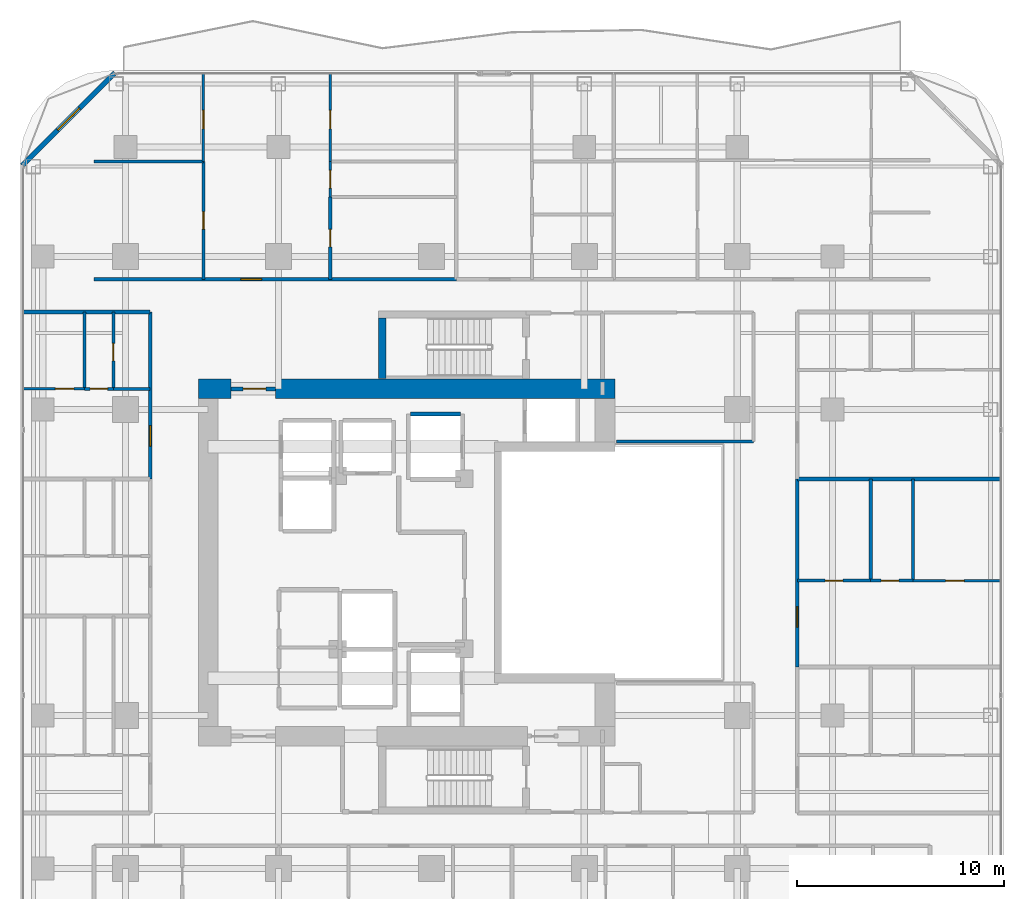
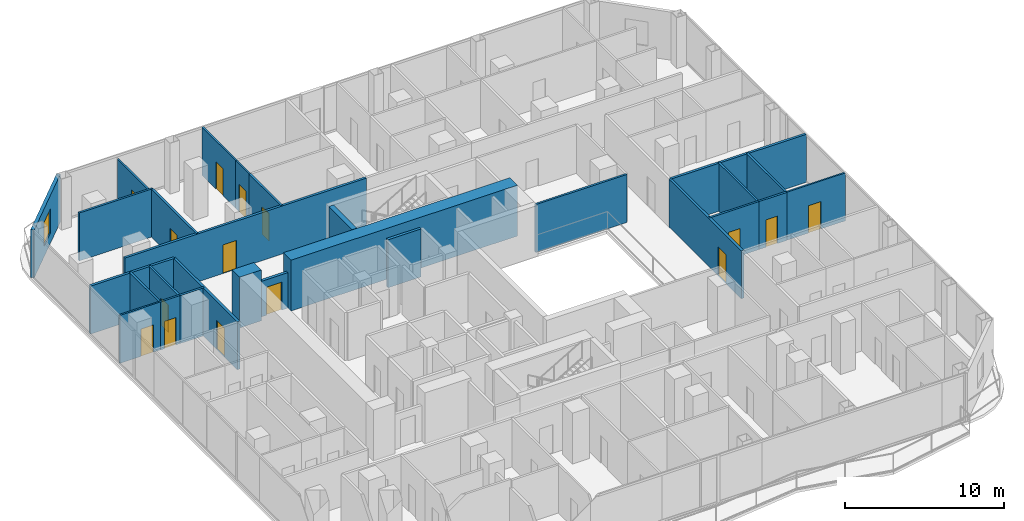
# One storey, part 24 of 29: 28 walls, 15 doors, 1 window, 16 openings.
"""IFC4 building model written with IfcOpenShell, lengths in metres."""

import ifcopenshell
import ifcopenshell.guid

model = None  # the IFC model being written
_history = None  # IfcOwnerHistory: only IFC2X3 demands one
_inside = {}  # id of a spatial element -> (the spatial element, [elements in it])
_under = {}  # id of a project, library or spatial element -> (it, [spatial elements below it])
_declared = {}  # id of a project -> (the project, [libraries it declares])
_typed = {}  # id of a type object -> (the type object, [elements of that type])
_made_of = {}  # id of a material, layer set ... -> (it, [elements and type objects made of it])


def new_model(schema):
    """Start an empty IFC model of exactly this schema.

    Asked for "IFC4X3", IfcOpenShell would pick the latest addendum, in which some entities
    have other attributes; the version numbers below select the first issue.
    IFC2X3 requires an IfcOwnerHistory on every rooted entity: one is made here for all.
    """
    global model, _history
    if schema == "IFC4X3":
        model = ifcopenshell.file(schema_version=(4, 3, 0, 0))
    else:
        model = ifcopenshell.file(schema=schema)
    _inside.clear()
    _under.clear()
    _declared.clear()
    _typed.clear()
    _made_of.clear()
    _history = None
    if model.schema == "IFC2X3":
        org = make("IfcOrganization", Name="unknown")
        user = make(
            "IfcPersonAndOrganization",
            ThePerson=make("IfcPerson", FamilyName="unknown"),
            TheOrganization=org,
        )
        app = make(
            "IfcApplication",
            ApplicationDeveloper=org,
            Version="unknown",
            ApplicationFullName="unknown",
            ApplicationIdentifier="unknown",
        )
        _history = make(
            "IfcOwnerHistory",
            OwningUser=user,
            OwningApplication=app,
            ChangeAction="ADDED",
            CreationDate=0,
        )
    return model


def make(cls, **values):
    """One entity of the class cls with the attributes given. An attribute that is None is left unset."""
    return model.create_entity(
        cls, **{name: value for name, value in values.items() if value is not None}
    )


def rooted(cls, **values):
    """An entity with a GlobalId (a new one), such as an element, a storey or a relation."""
    return make(cls, GlobalId=ifcopenshell.guid.new(), OwnerHistory=_history, **values)


def si_unit(unit_type, name, prefix=None):
    """IfcSIUnit, for example si_unit("LENGTHUNIT", "METRE", prefix="MILLI")."""
    return make("IfcSIUnit", UnitType=unit_type, Prefix=prefix, Name=name)


def assignment(units):
    """IfcUnitAssignment: the units of a project."""
    return None if units is None else make("IfcUnitAssignment", Units=units)


def point(xyz):
    """IfcCartesianPoint."""
    return None if xyz is None else make("IfcCartesianPoint", Coordinates=xyz)


def direction(xyz):
    """IfcDirection."""
    return None if xyz is None else make("IfcDirection", DirectionRatios=xyz)


def frame(location, z_axis=None, x_axis=None):
    """IfcAxis2Placement3D, a coordinate frame: its origin and axes. An axis left out is left unset."""
    return make(
        "IfcAxis2Placement3D",
        Location=point(location),
        Axis=direction(z_axis),
        RefDirection=direction(x_axis),
    )


def frame_2d(location, x_axis=None):
    """IfcAxis2Placement2D, a coordinate frame in the plane: its origin and x axis."""
    return make(
        "IfcAxis2Placement2D", Location=point(location), RefDirection=direction(x_axis)
    )


def origin():
    """The frame at (0, 0, 0) with its axes left unset."""
    return frame((0.0, 0.0, 0.0))


def place(relative_to, where):
    """IfcLocalPlacement: puts the frame where relative to a parent placement (None: the world)."""
    return make(
        "IfcLocalPlacement", PlacementRelTo=relative_to, RelativePlacement=where
    )


def context(
    kind, dimensions, precision=None, world=None, true_north=None, identifier=None
):
    """IfcGeometricRepresentationContext, for example the 3D "Model" context."""
    return make(
        "IfcGeometricRepresentationContext",
        ContextIdentifier=identifier,
        ContextType=kind,
        CoordinateSpaceDimension=dimensions,
        Precision=precision,
        WorldCoordinateSystem=world,
        TrueNorth=true_north,
    )


def subcontext(parent, identifier, kind, view, scale=None):
    """IfcGeometricRepresentationSubContext, for example "Body" below "Model"."""
    return make(
        "IfcGeometricRepresentationSubContext",
        ContextIdentifier=identifier,
        ContextType=kind,
        ParentContext=parent,
        TargetScale=scale,
        TargetView=view,
    )


def project(units=None, contexts=None):
    """IfcProject with its units and contexts."""
    return rooted(
        "IfcProject",
        Name="project",
        RepresentationContexts=contexts,
        UnitsInContext=assignment(units),
    )


def spatial(cls, under=None, at=None, **own):
    """A site, building, storey or space (cls), placed at a placement, below another one or the project."""
    s = rooted(cls, ObjectPlacement=at, **own)
    if under is not None:
        _under.setdefault(under.id(), (under, []))[1].append(s)
    return s


def profile(cls, at=None, kind="AREA", **sizes):
    """A parametric profile (cls). Its sizes go by their IFC names, for example OverallWidth=200.0."""
    return make(cls, ProfileType=kind, Position=at, **sizes)


def rectangle(**sizes):
    """IfcRectangleProfileDef."""
    return profile("IfcRectangleProfileDef", **sizes)


def extrude(swept, where, along, depth):
    """IfcExtrudedAreaSolid: the profile swept, set in the frame where, extruded along a direction by depth."""
    return make(
        "IfcExtrudedAreaSolid",
        SweptArea=swept,
        Position=where,
        ExtrudedDirection=direction(along),
        Depth=depth,
    )


def shape(context_of_items, identifier, shape_type, items):
    """IfcShapeRepresentation: the items that make up one representation, for example the "Body"."""
    return make(
        "IfcShapeRepresentation",
        ContextOfItems=context_of_items,
        RepresentationIdentifier=identifier,
        RepresentationType=shape_type,
        Items=items,
    )


def material(Name=None, Category=None):
    """IfcMaterial."""
    return make("IfcMaterial", Name=Name, Category=Category)


def layer(
    of_material, thickness, ventilated=None, Name=None, Category=None, Priority=None
):
    """IfcMaterialLayer: one layer of a wall or slab, of a material (None: an air gap)."""
    return make(
        "IfcMaterialLayer",
        Material=of_material,
        LayerThickness=thickness,
        IsVentilated=ventilated,
        Name=Name,
        Category=Category,
        Priority=Priority,
    )


def layer_set(layers, Name=None):
    """IfcMaterialLayerSet."""
    return make("IfcMaterialLayerSet", MaterialLayers=layers, LayerSetName=Name)


def made_of(thing, what):
    """Note that an element or type object is made of a material, layer set ...; save() writes the relation."""
    if what is not None:
        _made_of.setdefault(what.id(), (what, []))[1].append(thing)
    return thing


def type_object(cls, material=None, **own):
    """A type object (cls), such as IfcWallType, which elements share."""
    return made_of(rooted(cls, **own), material)


def element(
    cls,
    number,
    at=None,
    inside=None,
    cuts=None,
    type_object=None,
    material=None,
    context=None,
    identifier="Body",
    shape_type=None,
    held_by="IfcProductDefinitionShape",
    body=None,
    shapes=None,
    **own,
):
    """One element of the class cls, such as IfcWall. Its Tag is "e" and its number.

    at: its placement. inside: the storey or other place that contains it. cuts: it is an
    opening in that element (IfcRelVoidsElement). A single representation is given by context,
    identifier, shape_type and body (its items); several are given by shapes. held_by: the class
    of the entity that holds the representations. save() writes the other relations.
    """
    e = rooted(cls, Tag="e%d" % number, ObjectPlacement=at, **own)
    if body is not None:
        shapes = [shape(context, identifier, shape_type, body)]
    if shapes is not None:
        e.Representation = make(held_by, Representations=shapes)
    if inside is not None:
        _inside.setdefault(inside.id(), (inside, []))[1].append(e)
    if cuts is not None:
        rooted(
            "IfcRelVoidsElement", RelatingBuildingElement=cuts, RelatedOpeningElement=e
        )
    if type_object is not None:
        _typed.setdefault(type_object.id(), (type_object, []))[1].append(e)
    return made_of(e, material)


def fill(opening, filler):
    """IfcRelFillsElement: the door or window that sits in an opening."""
    return rooted(
        "IfcRelFillsElement",
        RelatingOpeningElement=opening,
        RelatedBuildingElement=filler,
    )


def aggregate(whole, parts):
    """IfcRelAggregates: a whole, such as a stair, and the parts it consists of."""
    return rooted("IfcRelAggregates", RelatingObject=whole, RelatedObjects=parts)


def save(model, path):
    """Write the relations noted so far, then the file.

    IfcRelAggregates (storeys below a building ...), IfcRelContainedInSpatialStructure (elements
    in a storey), IfcRelDefinesByType, IfcRelAssociatesMaterial and IfcRelDeclares: one each for
    every whole, place, type object, material and project.
    """
    for whole, parts in _under.values():
        aggregate(whole, parts)
    for where, things in _inside.values():
        rooted(
            "IfcRelContainedInSpatialStructure",
            RelatedElements=things,
            RelatingStructure=where,
        )
    for kind, things in _typed.values():
        rooted("IfcRelDefinesByType", RelatedObjects=things, RelatingType=kind)
    for what, things in _made_of.values():
        rooted("IfcRelAssociatesMaterial", RelatedObjects=things, RelatingMaterial=what)
    for by, libraries in _declared.values():
        rooted("IfcRelDeclares", RelatingContext=by, RelatedDefinitions=libraries)
    model.write(path)


model = new_model("IFC4")

# Units and contexts
model_context = context("Model", 3, precision=1e-05, world=origin(), true_north=direction((0.0, 1.0)))
body_context = subcontext(model_context, "Body", "Model", "MODEL_VIEW")
ifc_project = project(units=[si_unit("LENGTHUNIT", "METRE"), si_unit("AREAUNIT", "SQUARE_METRE"), si_unit("VOLUMEUNIT", "CUBIC_METRE"), si_unit("PLANEANGLEUNIT", "RADIAN"), si_unit("MASSUNIT", "GRAM", prefix="KILO")], contexts=[model_context])

# Site, building, storey
site_placement = place(None, origin())
site = spatial("IfcSite", under=ifc_project, at=site_placement, CompositionType="ELEMENT")
building_placement = place(site_placement, origin())
building = spatial("IfcBuilding", under=site, at=building_placement, Name="Khorvyn Point Tower", CompositionType="ELEMENT")
storey_placement = place(building_placement, frame((0.0, 0.0, 140.699951171875)))
storey = spatial("IfcBuildingStorey", under=building, at=storey_placement, Name="L35", CompositionType="ELEMENT", Elevation=140.699951171875)

# Wall, opening, door
ifc_material_1 = material(Name="Double acoustic gypsum on twin steel stud", Category="steel")
ifc_layer_1 = layer(ifc_material_1, 0.179931640625)
ifc_layer_set_1 = layer_set([ifc_layer_1], Name="Acoustic Double-Stud Apartment Demising Wall 180")
wall_type_1 = type_object("IfcWallType", Name="Acoustic Double-Stud Apartment Demising Wall 180", PredefinedType="PARTITIONING", material=ifc_layer_set_1)
wall_1_placement = place(storey_placement, frame((-16.320068359375, 13.699951171875, 0.0), z_axis=(0.0, 0.0, 1.0), x_axis=(1.0, 0.0, 0.0)))
wall_1 = element("IfcWall", 1, at=wall_1_placement, inside=storey, type_object=wall_type_1, Name="Wall", PredefinedType="PARTITIONING", context=body_context, shape_type="SweptSolid", body=[
    extrude(rectangle(XDim=17.524169921875, YDim=0.179931640625, at=frame_2d((8.76220703125, 0.0))), origin(), (0.0, 0.0, 1.0), 3.679931640625),
])
opening_1_placement = place(wall_1_placement, frame((7.1044921875, 0.0, 0.0)))
opening_1 = element("IfcOpeningElement", 2, at=opening_1_placement, cuts=wall_1, Name="Opening ID-AP60", PredefinedType="OPENING", context=body_context, shape_type="SweptSolid", body=[
    extrude(rectangle(XDim=1.0, YDim=2.199951171875, at=frame_2d((0.5, 1.10009765625))), frame((0.0, 0.099853515625, 0.0), z_axis=(0.0, -1.0, 0.0), x_axis=(1.0, 0.0, 0.0)), (0.0, 0.0, 1.0), 0.199951171875),
])
ifc_material_2 = material(Name="Engineered hardwood fire-rated leaf", Category="wood")
door_type_1 = type_object("IfcDoorType", Name="Acoustic Solid-Core Timber Apartment Entrance Door 1000x2200", OperationType="NOTDEFINED", PredefinedType="DOOR", material=ifc_material_2)
door_1_placement = place(opening_1_placement, origin())
door_1 = element("IfcDoor", 3, at=door_1_placement, inside=storey, type_object=door_type_1, Name="Door", OperationType="SINGLE_SWING_LEFT", OverallHeight=2.199951171875, OverallWidth=1.0, PredefinedType="DOOR", context=body_context, shape_type="SweptSolid", body=[
    extrude(rectangle(XDim=1.0, YDim=2.199951171875, at=frame_2d((0.5, 1.10009765625))), frame((0.0, 0.02490234375, 0.0), z_axis=(0.0, -1.0, 0.0), x_axis=(1.0, 0.0, 0.0)), (0.0, 0.0, 1.0), 0.050048828125),
])
fill(opening_1, door_1)

wall_2_placement = place(storey_placement, frame((-13.60009765625, 4.0400390625, 0.0), z_axis=(0.0, 0.0, 1.0), x_axis=(0.0, 1.0, 0.0)))
wall_2 = element("IfcWall", 4, at=wall_2_placement, inside=storey, type_object=wall_type_1, Name="Wall", PredefinedType="PARTITIONING", context=body_context, shape_type="SweptSolid", body=[
    extrude(rectangle(XDim=8.080078125, YDim=0.179931640625, at=frame_2d((4.0400390625, 0.0))), origin(), (0.0, 0.0, 1.0), 3.679931640625),
])
opening_2_placement = place(wall_2_placement, frame((1.583251953125, 0.0, 0.0)))
opening_2 = element("IfcOpeningElement", 5, at=opening_2_placement, cuts=wall_2, Name="Opening ID-AP60", PredefinedType="OPENING", context=body_context, shape_type="SweptSolid", body=[
    extrude(rectangle(XDim=1.0, YDim=2.199951171875, at=frame_2d((0.5, 1.10009765625))), frame((0.0, 0.099853515625, 0.0), z_axis=(0.0, -1.0, 0.0), x_axis=(1.0, 0.0, 0.0)), (0.0, 0.0, 1.0), 0.199951171875),
])
door_2_placement = place(opening_2_placement, origin())
door_2 = element("IfcDoor", 6, at=door_2_placement, inside=storey, type_object=door_type_1, Name="Door", OperationType="SINGLE_SWING_RIGHT", OverallHeight=2.199951171875, OverallWidth=1.0, PredefinedType="DOOR", context=body_context, shape_type="SweptSolid", body=[
    extrude(rectangle(XDim=1.0, YDim=2.199951171875, at=frame_2d((0.5, 1.10009765625))), frame((0.0, 0.02490234375, 0.0), z_axis=(0.0, -1.0, 0.0), x_axis=(1.0, 0.0, 0.0)), (0.0, 0.0, 1.0), 0.050048828125),
])
fill(opening_2, door_2)

wall_3_placement = place(storey_placement, frame((17.699951171875, -5.05810546875, 0.0), z_axis=(0.0, 0.0, 1.0), x_axis=(0.0, 1.0, 0.0)))
wall_3 = element("IfcWall", 7, at=wall_3_placement, inside=storey, type_object=wall_type_1, Name="Wall", PredefinedType="PARTITIONING", context=body_context, shape_type="SweptSolid", body=[
    extrude(rectangle(XDim=9.09814453125, YDim=0.179931640625, at=frame_2d((4.549072265625, 0.0))), origin(), (0.0, 0.0, 1.0), 3.679931640625),
])
opening_3_placement = place(wall_3_placement, frame((1.927734375, 0.0, 0.0)))
opening_3 = element("IfcOpeningElement", 8, at=opening_3_placement, cuts=wall_3, Name="Opening ID-AP60", PredefinedType="OPENING", context=body_context, shape_type="SweptSolid", body=[
    extrude(rectangle(XDim=1.0, YDim=2.199951171875, at=frame_2d((0.5, 1.10009765625))), frame((0.0, 0.099853515625, 0.0), z_axis=(0.0, -1.0, 0.0), x_axis=(1.0, 0.0, 0.0)), (0.0, 0.0, 1.0), 0.199951171875),
])
door_3_placement = place(opening_3_placement, origin())
door_3 = element("IfcDoor", 9, at=door_3_placement, inside=storey, type_object=door_type_1, Name="Door", OperationType="SINGLE_SWING_RIGHT", OverallHeight=2.199951171875, OverallWidth=1.0, PredefinedType="DOOR", context=body_context, shape_type="SweptSolid", body=[
    extrude(rectangle(XDim=1.0, YDim=2.199951171875, at=frame_2d((0.5, 1.10009765625))), frame((0.0, 0.02490234375, 0.0), z_axis=(0.0, -1.0, 0.0), x_axis=(1.0, 0.0, 0.0)), (0.0, 0.0, 1.0), 0.050048828125),
])
fill(opening_3, door_3)

# Walls
wall_4_placement = place(storey_placement, frame((-19.72998046875, 12.1201171875, 0.0), z_axis=(0.0, 0.0, 1.0), x_axis=(1.0, 0.0, 0.0)))
element("IfcWall", 10, at=wall_4_placement, inside=storey, type_object=wall_type_1, Name="Wall", PredefinedType="PARTITIONING", context=body_context, shape_type="SweptSolid", body=[
    extrude(rectangle(XDim=6.1298828125, YDim=0.179931640625, at=frame_2d((3.06494140625, 0.0))), origin(), (0.0, 0.0, 1.0), 3.679931640625),
])
wall_5_placement = place(storey_placement, frame((17.699951171875, 4.0400390625, 0.0), z_axis=(0.0, 0.0, 1.0), x_axis=(1.0, 0.0, 0.0)))
element("IfcWall", 11, at=wall_5_placement, inside=storey, type_object=wall_type_1, Name="Wall", PredefinedType="PARTITIONING", context=body_context, shape_type="SweptSolid", body=[
    extrude(rectangle(XDim=9.830078125, YDim=0.179931640625, at=frame_2d((4.9150390625, 0.0))), origin(), (0.0, 0.0, 1.0), 3.679931640625),
])

# Wall, opening, window
ifc_material_3 = material(Name="Pale anodised aluminium rainscreen on steel stud", Category="steel")
ifc_layer_2 = layer(ifc_material_3, 0.239990234375)
ifc_layer_set_2 = layer_set([ifc_layer_2], Name="Anodised Aluminium Insulated Corner Spandrel Wall 240")
wall_type_2 = type_object("IfcWallType", Name="Anodised Aluminium Insulated Corner Spandrel Wall 240", PredefinedType="SOLIDWALL", material=ifc_layer_set_2)
wall_6_placement = place(storey_placement, frame((-19.79248046875, 19.20751953125, 0.0), z_axis=(0.0, 0.0, 1.0), x_axis=(0.707106781187, 0.707106781187, 0.0)))
wall_6 = element("IfcWall", 12, at=wall_6_placement, inside=storey, type_object=wall_type_2, Name="L35 Rounded Corner Wall NW", PredefinedType="SOLIDWALL", context=body_context, shape_type="SweptSolid", body=[
    extrude(rectangle(XDim=6.342529296875, YDim=0.239990234375, at=frame_2d((3.17138671875, 0.0))), origin(), (0.0, 0.0, 1.0), 3.679931640625),
])
opening_4_placement = place(wall_6_placement, frame((2.42138671875, 0.0, 0.800048828125)))
opening_4 = element("IfcOpeningElement", 13, at=opening_4_placement, cuts=wall_6, Name="Opening WN-1518", PredefinedType="OPENING", context=body_context, shape_type="SweptSolid", body=[
    extrude(rectangle(XDim=1.5, YDim=1.85009765625, at=frame_2d((0.75, 0.925048828125))), frame((0.0, 0.1298828125, 0.0), z_axis=(0.0, -1.0, 0.0), x_axis=(1.0, 0.0, 0.0)), (0.0, 0.0, 1.0), 0.260009765625),
])
ifc_material_4 = material(Name="Anodised aluminium 6063-T6 and laminated Low-E glass", Category="aluminium")
window_type = type_object("IfcWindowType", Name="Anodised Aluminium Rounded-Corner Panoramic Window 1500x1850", PartitioningType="SINGLE_PANEL", PredefinedType="WINDOW", material=ifc_material_4)
window_placement = place(opening_4_placement, origin())
window = element("IfcWindow", 14, at=window_placement, inside=storey, type_object=window_type, Name="L35 Corner Panoramic Window NW", OverallHeight=1.85009765625, OverallWidth=1.5, PartitioningType="SINGLE_PANEL", PredefinedType="WINDOW", context=body_context, shape_type="SweptSolid", body=[
    extrude(rectangle(XDim=1.5, YDim=1.85009765625, at=frame_2d((0.75, 0.925048828125))), frame((0.0, 0.030029296875, 0.0), z_axis=(0.0, -1.0, 0.0), x_axis=(1.0, 0.0, 0.0)), (0.0, 0.0, 1.0), 0.06005859375),
])
fill(opening_4, window)

# Wall, opening, door
ifc_material_5 = material(Name="Concrete C40/50", Category="concrete")
ifc_layer_3 = layer(ifc_material_5, 0.199951171875)
ifc_layer_set_3 = layer_set([ifc_layer_3], Name="Concrete C40/50 Fire-Lobby Compartment Wall 200")
wall_type_3 = type_object("IfcWallType", Name="Concrete C40/50 Fire-Lobby Compartment Wall 200", PredefinedType="SOLIDWALL", material=ifc_layer_set_3)
wall_7_placement = place(storey_placement, frame((-9.699951171875, 8.39990234375, 0.0), z_axis=(0.0, 0.0, 1.0), x_axis=(1.0, 0.0, 0.0)))
wall_7 = element("IfcWall", 15, at=wall_7_placement, inside=storey, type_object=wall_type_3, Name="Wall", PredefinedType="SOLIDWALL", context=body_context, shape_type="SweptSolid", body=[
    extrude(rectangle(XDim=2.14990234375, YDim=0.199951171875, at=frame_2d((1.074951171875, 0.0))), origin(), (0.0, 0.0, 1.0), 2.719970703125),
])
opening_5_placement = place(wall_7_placement, frame((0.597900390625, 0.0, 0.0)))
opening_5 = element("IfcOpeningElement", 16, at=opening_5_placement, cuts=wall_7, Name="Opening ID-FL90", PredefinedType="OPENING", context=body_context, shape_type="SweptSolid", body=[
    extrude(rectangle(XDim=1.10009765625, YDim=2.14990234375, at=frame_2d((0.550048828125, 1.074951171875))), frame((0.0, 0.10986328125, 0.0), z_axis=(0.0, -1.0, 0.0), x_axis=(1.0, 0.0, 0.0)), (0.0, 0.0, 1.0), 0.219970703125),
])
ifc_material_6 = material(Name="Galvanised powder-coated steel", Category="steel")
door_type_2 = type_object("IfcDoorType", Name="Fire-Rated Steel Lobby and Stair Door 1100x2150", OperationType="NOTDEFINED", PredefinedType="DOOR", material=ifc_material_6)
door_4_placement = place(opening_5_placement, origin())
door_4 = element("IfcDoor", 17, at=door_4_placement, inside=storey, type_object=door_type_2, Name="Door", OperationType="SINGLE_SWING_LEFT", OverallHeight=2.14990234375, OverallWidth=1.10009765625, PredefinedType="DOOR", context=body_context, shape_type="SweptSolid", body=[
    extrude(rectangle(XDim=1.10009765625, YDim=2.14990234375, at=frame_2d((0.550048828125, 1.074951171875))), frame((0.0, 0.02490234375, 0.0), z_axis=(0.0, -1.0, 0.0), x_axis=(1.0, 0.0, 0.0)), (0.0, 0.0, 1.0), 0.050048828125),
])
fill(opening_5, door_4)

# Walls
ifc_layer_4 = layer(ifc_material_5, 0.35009765625)
ifc_layer_set_4 = layer_set([ifc_layer_4], Name="Concrete C40/50 Stair Shaft Structural Wall 350")
wall_type_4 = type_object("IfcWallType", Name="Concrete C40/50 Stair Shaft Structural Wall 350", PredefinedType="SHEAR", material=ifc_layer_set_4)
wall_8_placement = place(storey_placement, frame((-2.3798828125, 8.89990234375, 0.0), z_axis=(0.0, 0.0, 1.0), x_axis=(0.0, 1.0, 0.0)))
element("IfcWall", 18, at=wall_8_placement, inside=storey, type_object=wall_type_4, Name="L35 ST-02 West Shaft Wall", PredefinedType="SHEAR", context=body_context, shape_type="SweptSolid", body=[
    extrude(rectangle(XDim=2.925048828125, YDim=0.35009765625, at=frame_2d((1.46240234375, 0.0))), origin(), (0.0, 0.0, 1.0), 3.900146484375),
])
ifc_layer_5 = layer(ifc_material_5, 0.199951171875)
ifc_layer_set_5 = layer_set([ifc_layer_5], Name="Concrete C40/50 Structural Hoistway and Stair Shaft Wall 200")
wall_type_5 = type_object("IfcWallType", Name="Concrete C40/50 Structural Hoistway and Stair Shaft Wall 200", PredefinedType="SHEAR", material=ifc_layer_set_5)
wall_9_placement = place(storey_placement, frame((-1.0, 7.175048828125, 0.0), z_axis=(0.0, 0.0, 1.0), x_axis=(1.0, 0.0, 0.0)))
element("IfcWall", 19, at=wall_9_placement, inside=storey, type_object=wall_type_5, Name="Wall", PredefinedType="SHEAR", context=body_context, shape_type="SweptSolid", body=[
    extrude(rectangle(XDim=2.39990234375, YDim=0.199951171875, at=frame_2d((1.199951171875, 0.0))), origin(), (0.0, 0.0, 1.0), 3.679931640625),
])
ifc_material_7 = material(Name="Concrete C50/60", Category="concrete")
ifc_layer_6 = layer(ifc_material_7, 0.949951171875)
ifc_layer_set_6 = layer_set([ifc_layer_6], Name="Concrete C50/60 Core Shear Wall 950")
wall_type_6 = type_object("IfcWallType", Name="Concrete C50/60 Core Shear Wall 950", PredefinedType="SHEAR", material=ifc_layer_set_6)
wall_10_placement = place(storey_placement, frame((-11.27490234375, 8.39990234375, 0.0), z_axis=(0.0, 0.0, 1.0), x_axis=(1.0, 0.0, 0.0)))
element("IfcWall", 20, at=wall_10_placement, inside=storey, type_object=wall_type_6, Name="Wall", PredefinedType="SHEAR", context=body_context, shape_type="SweptSolid", body=[
    extrude(rectangle(XDim=1.574951171875, YDim=0.949951171875, at=frame_2d((0.78759765625, 0.0))), origin(), (0.0, 0.0, 1.0), 3.900146484375),
])
wall_11_placement = place(storey_placement, frame((-7.550048828125, 8.39990234375, 0.0), z_axis=(0.0, 0.0, 1.0), x_axis=(1.0, 0.0, 0.0)))
element("IfcWall", 21, at=wall_11_placement, inside=storey, type_object=wall_type_6, Name="Wall", PredefinedType="SHEAR", context=body_context, shape_type="SweptSolid", body=[
    extrude(rectangle(XDim=16.425048828125, YDim=0.949951171875, at=frame_2d((8.21240234375, 0.0))), origin(), (0.0, 0.0, 1.0), 3.900146484375),
])

# Wall, opening, door
ifc_material_8 = material(Name="Gypsum plasterboard on steel stud", Category="steel")
ifc_layer_7 = layer(ifc_material_8, 0.1201171875)
ifc_layer_set_7 = layer_set([ifc_layer_7], Name="Gypsum Acoustic Stud Room Partition Wall 120")
wall_type_7 = type_object("IfcWallType", Name="Gypsum Acoustic Stud Room Partition Wall 120", PredefinedType="PARTITIONING", material=ifc_layer_set_7)
wall_12_placement = place(storey_placement, frame((-11.02392578125, 19.389892578125, 0.0), z_axis=(0.0, 0.0, 1.0), x_axis=(0.0, 1.0, 0.0)))
wall_12 = element("IfcWall", 22, at=wall_12_placement, inside=storey, type_object=wall_type_7, Name="Wall", PredefinedType="PARTITIONING", context=body_context, shape_type="SweptSolid", body=[
    extrude(rectangle(XDim=4.239990234375, YDim=0.1201171875, at=frame_2d((2.1201171875, 0.0))), origin(), (0.0, 0.0, 1.0), 3.3701171875),
])
opening_6_placement = place(wall_12_placement, frame((1.581298828125, 0.0, 0.0)))
opening_6 = element("IfcOpeningElement", 23, at=opening_6_placement, cuts=wall_12, Name="Opening ID-RM90", PredefinedType="OPENING", context=body_context, shape_type="SweptSolid", body=[
    extrude(rectangle(XDim=0.89990234375, YDim=2.10009765625, at=frame_2d((0.449951171875, 1.050048828125))), frame((0.0, 0.070068359375, 0.0), z_axis=(0.0, -1.0, 0.0), x_axis=(1.0, 0.0, 0.0)), (0.0, 0.0, 1.0), 0.14013671875),
])
ifc_material_9 = material(Name="Engineered oak veneer timber", Category="wood")
door_type_3 = type_object("IfcDoorType", Name="Flush Engineered Timber Room Door 900x2100", OperationType="NOTDEFINED", PredefinedType="DOOR", material=ifc_material_9)
door_5_placement = place(opening_6_placement, origin())
door_5 = element("IfcDoor", 24, at=door_5_placement, inside=storey, type_object=door_type_3, Name="Door", OperationType="SINGLE_SWING_LEFT", OverallHeight=2.10009765625, OverallWidth=0.89990234375, PredefinedType="DOOR", context=body_context, shape_type="SweptSolid", body=[
    extrude(rectangle(XDim=0.89990234375, YDim=2.10009765625, at=frame_2d((0.449951171875, 1.050048828125))), frame((0.0, 0.02490234375, 0.0), z_axis=(0.0, -1.0, 0.0), x_axis=(1.0, 0.0, 0.0)), (0.0, 0.0, 1.0), 0.050048828125),
])
fill(opening_6, door_5)

wall_13_placement = place(storey_placement, frame((-4.889892578125, 17.68310546875, 0.0), z_axis=(0.0, 0.0, 1.0), x_axis=(0.0, 1.0, 0.0)))
wall_13 = element("IfcWall", 25, at=wall_13_placement, inside=storey, type_object=wall_type_7, Name="Wall", PredefinedType="PARTITIONING", context=body_context, shape_type="SweptSolid", body=[
    extrude(rectangle(XDim=1.706787109375, YDim=0.1201171875, at=frame_2d((0.853515625, 0.0))), origin(), (0.0, 0.0, 1.0), 3.679931640625),
])
opening_7_placement = place(wall_13_placement, frame((0.428466796875, 0.0, 0.0)))
opening_7 = element("IfcOpeningElement", 26, at=opening_7_placement, cuts=wall_13, Name="Opening ID-WC85", PredefinedType="OPENING", context=body_context, shape_type="SweptSolid", body=[
    extrude(rectangle(XDim=0.85009765625, YDim=2.10009765625, at=frame_2d((0.425048828125, 1.050048828125))), frame((0.0, 0.070068359375, 0.0), z_axis=(0.0, -1.0, 0.0), x_axis=(1.0, 0.0, 0.0)), (0.0, 0.0, 1.0), 0.14013671875),
])
ifc_material_10 = material(Name="High-pressure laminate on moisture-resistant core", Category="wood")
door_type_4 = type_object("IfcDoorType", Name="Moisture-Resistant Accessible Washroom Door 850x2100", OperationType="NOTDEFINED", PredefinedType="DOOR", material=ifc_material_10)
door_6_placement = place(opening_7_placement, origin())
door_6 = element("IfcDoor", 27, at=door_6_placement, inside=storey, type_object=door_type_4, Name="Door", OperationType="SINGLE_SWING_LEFT", OverallHeight=2.10009765625, OverallWidth=0.85009765625, PredefinedType="DOOR", context=body_context, shape_type="SweptSolid", body=[
    extrude(rectangle(XDim=0.85009765625, YDim=2.10009765625, at=frame_2d((0.425048828125, 1.050048828125))), frame((0.0, 0.02490234375, 0.0), z_axis=(0.0, -1.0, 0.0), x_axis=(1.0, 0.0, 0.0)), (0.0, 0.0, 1.0), 0.050048828125),
])
fill(opening_7, door_6)

wall_14_placement = place(storey_placement, frame((-4.889892578125, 19.389892578125, 0.0), z_axis=(0.0, 0.0, 1.0), x_axis=(0.0, 1.0, 0.0)))
wall_14 = element("IfcWall", 28, at=wall_14_placement, inside=storey, type_object=wall_type_7, Name="Wall", PredefinedType="PARTITIONING", context=body_context, shape_type="SweptSolid", body=[
    extrude(rectangle(XDim=4.239990234375, YDim=0.1201171875, at=frame_2d((2.1201171875, 0.0))), origin(), (0.0, 0.0, 1.0), 3.679931640625),
])
opening_8_placement = place(wall_14_placement, frame((1.581298828125, 0.0, 0.0)))
opening_8 = element("IfcOpeningElement", 29, at=opening_8_placement, cuts=wall_14, Name="Opening ID-RM90", PredefinedType="OPENING", context=body_context, shape_type="SweptSolid", body=[
    extrude(rectangle(XDim=0.89990234375, YDim=2.10009765625, at=frame_2d((0.449951171875, 1.050048828125))), frame((0.0, 0.070068359375, 0.0), z_axis=(0.0, -1.0, 0.0), x_axis=(1.0, 0.0, 0.0)), (0.0, 0.0, 1.0), 0.14013671875),
])
door_7_placement = place(opening_8_placement, origin())
door_7 = element("IfcDoor", 30, at=door_7_placement, inside=storey, type_object=door_type_3, Name="Door", OperationType="SINGLE_SWING_RIGHT", OverallHeight=2.10009765625, OverallWidth=0.89990234375, PredefinedType="DOOR", context=body_context, shape_type="SweptSolid", body=[
    extrude(rectangle(XDim=0.89990234375, YDim=2.10009765625, at=frame_2d((0.449951171875, 1.050048828125))), frame((0.0, 0.02490234375, 0.0), z_axis=(0.0, -1.0, 0.0), x_axis=(1.0, 0.0, 0.0)), (0.0, 0.0, 1.0), 0.050048828125),
])
fill(opening_8, door_7)

wall_15_placement = place(storey_placement, frame((-19.72998046875, 8.39404296875, 0.0), z_axis=(0.0, 0.0, 1.0), x_axis=(1.0, 0.0, 0.0)))
wall_15 = element("IfcWall", 31, at=wall_15_placement, inside=storey, type_object=wall_type_7, Name="Wall", PredefinedType="PARTITIONING", context=body_context, shape_type="SweptSolid", body=[
    extrude(rectangle(XDim=2.946044921875, YDim=0.1201171875, at=frame_2d((1.47314453125, 0.0))), origin(), (0.0, 0.0, 1.0), 3.679931640625),
])
opening_9_placement = place(wall_15_placement, frame((1.540771484375, 0.0, 0.0)))
opening_9 = element("IfcOpeningElement", 32, at=opening_9_placement, cuts=wall_15, Name="Opening ID-RM90", PredefinedType="OPENING", context=body_context, shape_type="SweptSolid", body=[
    extrude(rectangle(XDim=0.89990234375, YDim=2.10009765625, at=frame_2d((0.449951171875, 1.050048828125))), frame((0.0, 0.070068359375, 0.0), z_axis=(0.0, -1.0, 0.0), x_axis=(1.0, 0.0, 0.0)), (0.0, 0.0, 1.0), 0.14013671875),
])
door_8_placement = place(opening_9_placement, origin())
door_8 = element("IfcDoor", 33, at=door_8_placement, inside=storey, type_object=door_type_3, Name="Door", OperationType="SINGLE_SWING_LEFT", OverallHeight=2.10009765625, OverallWidth=0.89990234375, PredefinedType="DOOR", context=body_context, shape_type="SweptSolid", body=[
    extrude(rectangle(XDim=0.89990234375, YDim=2.10009765625, at=frame_2d((0.449951171875, 1.050048828125))), frame((0.0, 0.02490234375, 0.0), z_axis=(0.0, -1.0, 0.0), x_axis=(1.0, 0.0, 0.0)), (0.0, 0.0, 1.0), 0.050048828125),
])
fill(opening_9, door_8)

wall_16_placement = place(storey_placement, frame((23.2900390625, -0.873046875, 0.0), z_axis=(0.0, 0.0, 1.0), x_axis=(1.0, 0.0, 0.0)))
wall_16 = element("IfcWall", 34, at=wall_16_placement, inside=storey, type_object=wall_type_7, Name="Wall", PredefinedType="PARTITIONING", context=body_context, shape_type="SweptSolid", body=[
    extrude(rectangle(XDim=4.239990234375, YDim=0.1201171875, at=frame_2d((2.1201171875, 0.0))), origin(), (0.0, 0.0, 1.0), 3.679931640625),
])
opening_10_placement = place(wall_16_placement, frame((1.581298828125, 0.0, 0.0)))
opening_10 = element("IfcOpeningElement", 35, at=opening_10_placement, cuts=wall_16, Name="Opening ID-RM90", PredefinedType="OPENING", context=body_context, shape_type="SweptSolid", body=[
    extrude(rectangle(XDim=0.89990234375, YDim=2.10009765625, at=frame_2d((0.449951171875, 1.050048828125))), frame((0.0, 0.070068359375, 0.0), z_axis=(0.0, -1.0, 0.0), x_axis=(1.0, 0.0, 0.0)), (0.0, 0.0, 1.0), 0.14013671875),
])
door_9_placement = place(opening_10_placement, origin())
door_9 = element("IfcDoor", 36, at=door_9_placement, inside=storey, type_object=door_type_3, Name="Door", OperationType="SINGLE_SWING_LEFT", OverallHeight=2.10009765625, OverallWidth=0.89990234375, PredefinedType="DOOR", context=body_context, shape_type="SweptSolid", body=[
    extrude(rectangle(XDim=0.89990234375, YDim=2.10009765625, at=frame_2d((0.449951171875, 1.050048828125))), frame((0.0, 0.02490234375, 0.0), z_axis=(0.0, -1.0, 0.0), x_axis=(1.0, 0.0, 0.0)), (0.0, 0.0, 1.0), 0.050048828125),
])
fill(opening_10, door_9)

ifc_material_11 = material(Name="Moisture-resistant gypsum and cement board", Category="gypsum")
ifc_layer_8 = layer(ifc_material_11, 0.14990234375)
ifc_layer_set_8 = layer_set([ifc_layer_8], Name="Moisture-Resistant Wet-Room Partition Wall 150")
wall_type_8 = type_object("IfcWallType", Name="Moisture-Resistant Wet-Room Partition Wall 150", PredefinedType="PARTITIONING", material=ifc_layer_set_8)
wall_17_placement = place(storey_placement, frame((-11.02392578125, 13.699951171875, 0.0), z_axis=(0.0, 0.0, 1.0), x_axis=(0.0, 1.0, 0.0)))
wall_17 = element("IfcWall", 37, at=wall_17_placement, inside=storey, type_object=wall_type_8, Name="Wall", PredefinedType="PARTITIONING", context=body_context, shape_type="SweptSolid", body=[
    extrude(rectangle(XDim=5.68994140625, YDim=0.14990234375, at=frame_2d((2.844970703125, 0.0))), origin(), (0.0, 0.0, 1.0), 3.679931640625),
])
opening_11_placement = place(wall_17_placement, frame((2.419921875, 0.0, 0.0)))
opening_11 = element("IfcOpeningElement", 38, at=opening_11_placement, cuts=wall_17, Name="Opening ID-WC85", PredefinedType="OPENING", context=body_context, shape_type="SweptSolid", body=[
    extrude(rectangle(XDim=0.85009765625, YDim=2.10009765625, at=frame_2d((0.425048828125, 1.050048828125))), frame((0.0, 0.0849609375, 0.0), z_axis=(0.0, -1.0, 0.0), x_axis=(1.0, 0.0, 0.0)), (0.0, 0.0, 1.0), 0.169921875),
])
door_10_placement = place(opening_11_placement, origin())
door_10 = element("IfcDoor", 39, at=door_10_placement, inside=storey, type_object=door_type_4, Name="Door", OperationType="SINGLE_SWING_RIGHT", OverallHeight=2.10009765625, OverallWidth=0.85009765625, PredefinedType="DOOR", context=body_context, shape_type="SweptSolid", body=[
    extrude(rectangle(XDim=0.85009765625, YDim=2.10009765625, at=frame_2d((0.425048828125, 1.050048828125))), frame((0.0, 0.02490234375, 0.0), z_axis=(0.0, -1.0, 0.0), x_axis=(1.0, 0.0, 0.0)), (0.0, 0.0, 1.0), 0.050048828125),
])
fill(opening_11, door_10)

wall_18_placement = place(storey_placement, frame((-4.889892578125, 13.699951171875, 0.0), z_axis=(0.0, 0.0, 1.0), x_axis=(0.0, 1.0, 0.0)))
wall_18 = element("IfcWall", 40, at=wall_18_placement, inside=storey, type_object=wall_type_8, Name="Wall", PredefinedType="PARTITIONING", context=body_context, shape_type="SweptSolid", body=[
    extrude(rectangle(XDim=3.983154296875, YDim=0.14990234375, at=frame_2d((1.99169921875, 0.0))), origin(), (0.0, 0.0, 1.0), 3.679931640625),
])
opening_12_placement = place(wall_18_placement, frame((1.56640625, 0.0, 0.0)))
opening_12 = element("IfcOpeningElement", 41, at=opening_12_placement, cuts=wall_18, Name="Opening ID-WC85", PredefinedType="OPENING", context=body_context, shape_type="SweptSolid", body=[
    extrude(rectangle(XDim=0.85009765625, YDim=2.10009765625, at=frame_2d((0.425048828125, 1.050048828125))), frame((0.0, 0.0849609375, 0.0), z_axis=(0.0, -1.0, 0.0), x_axis=(1.0, 0.0, 0.0)), (0.0, 0.0, 1.0), 0.169921875),
])
door_11_placement = place(opening_12_placement, origin())
door_11 = element("IfcDoor", 42, at=door_11_placement, inside=storey, type_object=door_type_4, Name="Door", OperationType="SINGLE_SWING_RIGHT", OverallHeight=2.10009765625, OverallWidth=0.85009765625, PredefinedType="DOOR", context=body_context, shape_type="SweptSolid", body=[
    extrude(rectangle(XDim=0.85009765625, YDim=2.10009765625, at=frame_2d((0.425048828125, 1.050048828125))), frame((0.0, 0.02490234375, 0.0), z_axis=(0.0, -1.0, 0.0), x_axis=(1.0, 0.0, 0.0)), (0.0, 0.0, 1.0), 0.050048828125),
])
fill(opening_12, door_11)

wall_19_placement = place(storey_placement, frame((-16.783935546875, 8.39404296875, 0.0), z_axis=(0.0, 0.0, 1.0), x_axis=(1.0, 0.0, 0.0)))
wall_19 = element("IfcWall", 43, at=wall_19_placement, inside=storey, type_object=wall_type_8, Name="Wall", PredefinedType="PARTITIONING", context=body_context, shape_type="SweptSolid", body=[
    extrude(rectangle(XDim=1.39990234375, YDim=0.14990234375, at=frame_2d((0.699951171875, 0.0))), origin(), (0.0, 0.0, 1.0), 3.679931640625),
])
opening_13_placement = place(wall_19_placement, frame((0.27490234375, 0.0, 0.0)))
opening_13 = element("IfcOpeningElement", 44, at=opening_13_placement, cuts=wall_19, Name="Opening ID-WC85", PredefinedType="OPENING", context=body_context, shape_type="SweptSolid", body=[
    extrude(rectangle(XDim=0.85009765625, YDim=2.10009765625, at=frame_2d((0.425048828125, 1.050048828125))), frame((0.0, 0.0849609375, 0.0), z_axis=(0.0, -1.0, 0.0), x_axis=(1.0, 0.0, 0.0)), (0.0, 0.0, 1.0), 0.169921875),
])
door_12_placement = place(opening_13_placement, origin())
door_12 = element("IfcDoor", 45, at=door_12_placement, inside=storey, type_object=door_type_4, Name="Door", OperationType="SINGLE_SWING_LEFT", OverallHeight=2.10009765625, OverallWidth=0.85009765625, PredefinedType="DOOR", context=body_context, shape_type="SweptSolid", body=[
    extrude(rectangle(XDim=0.85009765625, YDim=2.10009765625, at=frame_2d((0.425048828125, 1.050048828125))), frame((0.0, 0.02490234375, 0.0), z_axis=(0.0, -1.0, 0.0), x_axis=(1.0, 0.0, 0.0)), (0.0, 0.0, 1.0), 0.050048828125),
])
fill(opening_13, door_12)

# Wall
wall_20_placement = place(storey_placement, frame((-15.384033203125, 8.39404296875, 0.0), z_axis=(0.0, 0.0, 1.0), x_axis=(1.0, 0.0, 0.0)))
element("IfcWall", 46, at=wall_20_placement, inside=storey, type_object=wall_type_8, Name="Wall", PredefinedType="PARTITIONING", context=body_context, shape_type="SweptSolid", body=[
    extrude(rectangle(XDim=1.783935546875, YDim=0.14990234375, at=frame_2d((0.89208984375, 0.0))), origin(), (0.0, 0.0, 1.0), 3.679931640625),
])

# Wall, opening, door
wall_21_placement = place(storey_placement, frame((17.699951171875, -0.873046875, 0.0), z_axis=(0.0, 0.0, 1.0), x_axis=(1.0, 0.0, 0.0)))
wall_21 = element("IfcWall", 47, at=wall_21_placement, inside=storey, type_object=wall_type_8, Name="Wall", PredefinedType="PARTITIONING", context=body_context, shape_type="SweptSolid", body=[
    extrude(rectangle(XDim=3.552001953125, YDim=0.14990234375, at=frame_2d((1.77587890625, 0.0))), origin(), (0.0, 0.0, 1.0), 3.679931640625),
])
opening_14_placement = place(wall_21_placement, frame((1.35107421875, 0.0, 0.0)))
opening_14 = element("IfcOpeningElement", 48, at=opening_14_placement, cuts=wall_21, Name="Opening ID-WC85", PredefinedType="OPENING", context=body_context, shape_type="SweptSolid", body=[
    extrude(rectangle(XDim=0.85009765625, YDim=2.10009765625, at=frame_2d((0.425048828125, 1.050048828125))), frame((0.0, 0.0849609375, 0.0), z_axis=(0.0, -1.0, 0.0), x_axis=(1.0, 0.0, 0.0)), (0.0, 0.0, 1.0), 0.169921875),
])
door_13_placement = place(opening_14_placement, origin())
door_13 = element("IfcDoor", 49, at=door_13_placement, inside=storey, type_object=door_type_4, Name="Door", OperationType="SINGLE_SWING_LEFT", OverallHeight=2.10009765625, OverallWidth=0.85009765625, PredefinedType="DOOR", context=body_context, shape_type="SweptSolid", body=[
    extrude(rectangle(XDim=0.85009765625, YDim=2.10009765625, at=frame_2d((0.425048828125, 1.050048828125))), frame((0.0, 0.02490234375, 0.0), z_axis=(0.0, -1.0, 0.0), x_axis=(1.0, 0.0, 0.0)), (0.0, 0.0, 1.0), 0.050048828125),
])
fill(opening_14, door_13)

wall_22_placement = place(storey_placement, frame((21.251953125, -0.873046875, 0.0), z_axis=(0.0, 0.0, 1.0), x_axis=(1.0, 0.0, 0.0)))
wall_22 = element("IfcWall", 50, at=wall_22_placement, inside=storey, type_object=wall_type_8, Name="Wall", PredefinedType="PARTITIONING", context=body_context, shape_type="SweptSolid", body=[
    extrude(rectangle(XDim=2.0380859375, YDim=0.14990234375, at=frame_2d((1.01904296875, 0.0))), origin(), (0.0, 0.0, 1.0), 3.679931640625),
])
opening_15_placement = place(wall_22_placement, frame((0.507080078125, 0.0, 0.0)))
opening_15 = element("IfcOpeningElement", 51, at=opening_15_placement, cuts=wall_22, Name="Opening ID-WC85", PredefinedType="OPENING", context=body_context, shape_type="SweptSolid", body=[
    extrude(rectangle(XDim=0.85009765625, YDim=2.10009765625, at=frame_2d((0.425048828125, 1.050048828125))), frame((0.0, 0.0849609375, 0.0), z_axis=(0.0, -1.0, 0.0), x_axis=(1.0, 0.0, 0.0)), (0.0, 0.0, 1.0), 0.169921875),
])
door_14_placement = place(opening_15_placement, origin())
door_14 = element("IfcDoor", 52, at=door_14_placement, inside=storey, type_object=door_type_4, Name="Door", OperationType="SINGLE_SWING_RIGHT", OverallHeight=2.10009765625, OverallWidth=0.85009765625, PredefinedType="DOOR", context=body_context, shape_type="SweptSolid", body=[
    extrude(rectangle(XDim=0.85009765625, YDim=2.10009765625, at=frame_2d((0.425048828125, 1.050048828125))), frame((0.0, 0.02490234375, 0.0), z_axis=(0.0, -1.0, 0.0), x_axis=(1.0, 0.0, 0.0)), (0.0, 0.0, 1.0), 0.050048828125),
])
fill(opening_15, door_14)

# Walls
wall_23_placement = place(storey_placement, frame((8.9599609375, 5.85009765625, 0.0), z_axis=(0.0, 0.0, 1.0), x_axis=(1.0, 0.0, 0.0)))
element("IfcWall", 53, at=wall_23_placement, inside=storey, type_object=wall_type_8, Name="Wall", PredefinedType="PARTITIONING", context=body_context, shape_type="SweptSolid", body=[
    extrude(rectangle(XDim=6.6201171875, YDim=0.14990234375, at=frame_2d((3.31005859375, 0.0))), origin(), (0.0, 0.0, 1.0), 3.679931640625),
])
wall_24_placement = place(storey_placement, frame((-16.320068359375, 19.389892578125, 0.0), z_axis=(0.0, 0.0, 1.0), x_axis=(1.0, 0.0, 0.0)))
element("IfcWall", 54, at=wall_24_placement, inside=storey, type_object=wall_type_8, Name="Wall", PredefinedType="PARTITIONING", context=body_context, shape_type="SweptSolid", body=[
    extrude(rectangle(XDim=5.296142578125, YDim=0.14990234375, at=frame_2d((2.64794921875, 0.0))), origin(), (0.0, 0.0, 1.0), 3.679931640625),
])

# Wall, opening, door
wall_25_placement = place(storey_placement, frame((-15.384033203125, 8.39404296875, 0.0), z_axis=(0.0, 0.0, 1.0), x_axis=(0.0, 1.0, 0.0)))
wall_25 = element("IfcWall", 55, at=wall_25_placement, inside=storey, type_object=wall_type_8, Name="Wall", PredefinedType="PARTITIONING", context=body_context, shape_type="SweptSolid", body=[
    extrude(rectangle(XDim=3.72607421875, YDim=0.14990234375, at=frame_2d((1.863037109375, 0.0))), origin(), (0.0, 0.0, 1.0), 3.679931640625),
])
opening_16_placement = place(wall_25_placement, frame((1.352783203125, 0.0, 0.0)))
opening_16 = element("IfcOpeningElement", 56, at=opening_16_placement, cuts=wall_25, Name="Opening ID-WC85", PredefinedType="OPENING", context=body_context, shape_type="SweptSolid", body=[
    extrude(rectangle(XDim=0.85009765625, YDim=2.10009765625, at=frame_2d((0.425048828125, 1.050048828125))), frame((0.0, 0.0849609375, 0.0), z_axis=(0.0, -1.0, 0.0), x_axis=(1.0, 0.0, 0.0)), (0.0, 0.0, 1.0), 0.169921875),
])
door_15_placement = place(opening_16_placement, origin())
door_15 = element("IfcDoor", 57, at=door_15_placement, inside=storey, type_object=door_type_4, Name="Door", OperationType="SINGLE_SWING_RIGHT", OverallHeight=2.10009765625, OverallWidth=0.85009765625, PredefinedType="DOOR", context=body_context, shape_type="SweptSolid", body=[
    extrude(rectangle(XDim=0.85009765625, YDim=2.10009765625, at=frame_2d((0.425048828125, 1.050048828125))), frame((0.0, 0.02490234375, 0.0), z_axis=(0.0, -1.0, 0.0), x_axis=(1.0, 0.0, 0.0)), (0.0, 0.0, 1.0), 0.050048828125),
])
fill(opening_16, door_15)

# Walls
wall_26_placement = place(storey_placement, frame((-16.783935546875, 8.39404296875, 0.0), z_axis=(0.0, 0.0, 1.0), x_axis=(0.0, 1.0, 0.0)))
element("IfcWall", 58, at=wall_26_placement, inside=storey, type_object=wall_type_8, Name="Wall", PredefinedType="PARTITIONING", context=body_context, shape_type="SweptSolid", body=[
    extrude(rectangle(XDim=3.72607421875, YDim=0.14990234375, at=frame_2d((1.863037109375, 0.0))), origin(), (0.0, 0.0, 1.0), 3.679931640625),
])
for number, where, z_axis, x_axis, name in (
    (59, (21.251953125, -0.873046875, 0.0), (0.0, 0.0, 1.0), (0.0, 1.0, 0.0), "Wall"),
    (60, (23.2900390625, -0.873046875, 0.0), (0.0, 0.0, 1.0), (0.0, 1.0, 0.0), "Wall"),
):
    element("IfcWall", number, at=place(storey_placement, frame(where, z_axis=z_axis, x_axis=x_axis)), inside=storey, type_object=wall_type_8, Name=name, PredefinedType="PARTITIONING", context=body_context, shape_type="SweptSolid", body=[
        extrude(rectangle(XDim=4.9130859375, YDim=0.14990234375, at=frame_2d((2.45654296875, 0.0))), origin(), (0.0, 0.0, 1.0), 3.679931640625),
    ])

save(model, "model.ifc")
